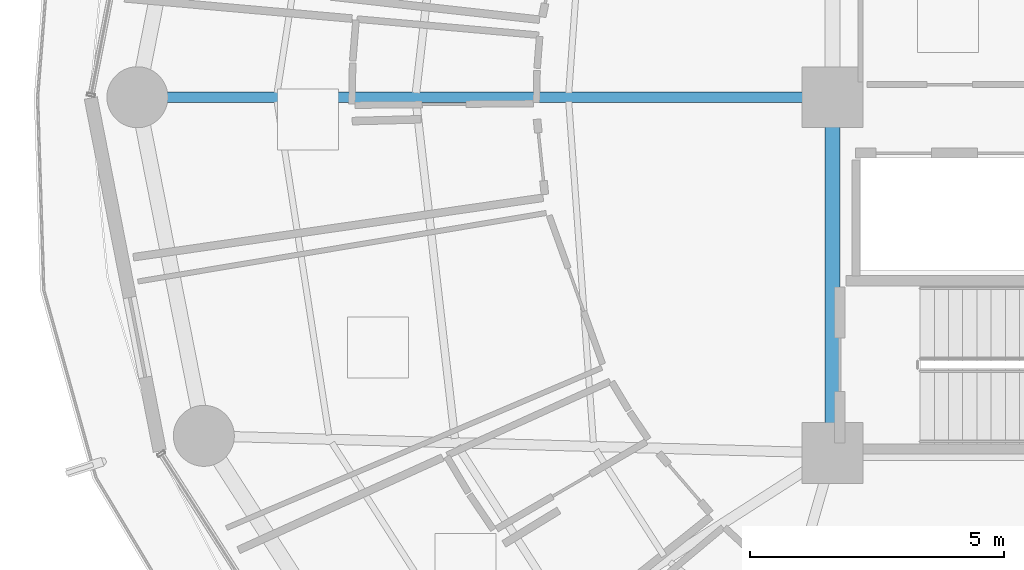
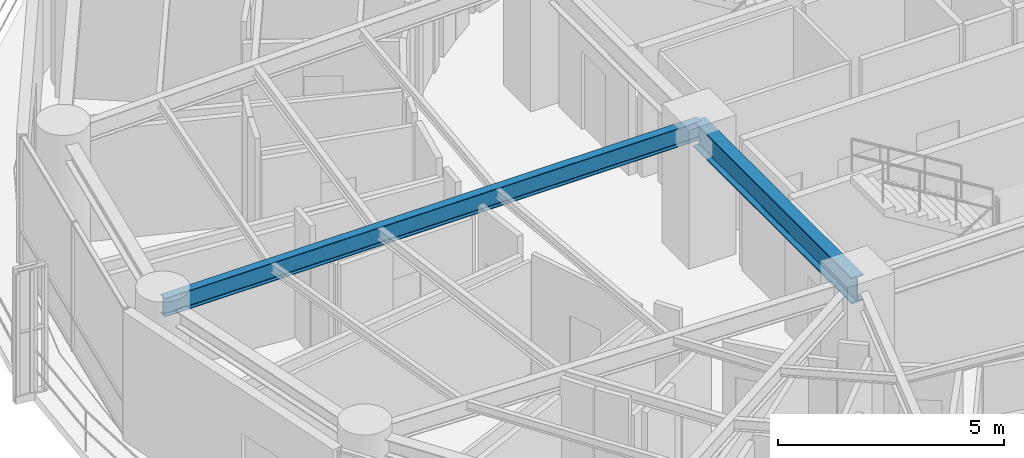
# One storey, part 7 of 28: 2 beams.
"""IFC4 building model written with IfcOpenShell, lengths in metres."""

from ifc_helpers import new_model, si_unit, direction, frame, origin, origin_2d, place, context, subcontext, project, spatial, i_section, extrude, material, material_profile, profile_set, type_object, element, save


model = new_model("IFC4")

# Units and contexts
model_context = context("Model", 3, precision=1e-05, world=origin(), true_north=direction((0.0, 1.0)))
body_context = subcontext(model_context, "Body", "Model", "MODEL_VIEW")
ifc_project = project(units=[si_unit("LENGTHUNIT", "METRE"), si_unit("AREAUNIT", "SQUARE_METRE"), si_unit("VOLUMEUNIT", "CUBIC_METRE"), si_unit("PLANEANGLEUNIT", "RADIAN"), si_unit("MASSUNIT", "GRAM", prefix="KILO")], contexts=[model_context])

# Site, building, storey
site_placement = place(None, origin())
site = spatial("IfcSite", under=ifc_project, at=site_placement, CompositionType="ELEMENT")
building_placement = place(site_placement, origin())
building = spatial("IfcBuilding", under=site, at=building_placement, Name="Kelanora Arch Commons", CompositionType="ELEMENT")
storey_placement = place(building_placement, frame((0.0, 0.0, 176.85009765625)))
storey = spatial("IfcBuildingStorey", under=building, at=storey_placement, Name="L45", CompositionType="ELEMENT", Elevation=176.85009765625)

# Beams
ifc_material = material(Name="Steel S355", Category="steel")
ifc_material_profile_1 = material_profile(ifc_material, i_section(OverallWidth=0.300048828125, OverallDepth=0.699951171875, WebThickness=0.01708984375, FlangeThickness=0.031982421875, FilletRadius=0.027099609375, at=origin_2d()), Name="HEB700")
ifc_profile_set_1 = profile_set([ifc_material_profile_1], Name="Steel S355")
beam_type_1 = type_object("IfcBeamType", Name="BM-CORE-HDR", PredefinedType="BEAM", material=ifc_profile_set_1)
beam_1_placement = place(storey_placement, frame((66.0, 58.0, 3.139892578125), z_axis=(0.0, -1.0, 0.0), x_axis=(1.0, 0.0, 0.0)))
element("IfcBeam", 1, at=beam_1_placement, inside=storey, type_object=beam_type_1, Name="Core Header Beam 09 L45", PredefinedType="BEAM", context=body_context, shape_type="SweptSolid", body=[
    extrude(i_section(OverallWidth=0.300048828125, OverallDepth=0.699951171875, WebThickness=0.01708984375, FlangeThickness=0.031982421875, FilletRadius=0.027099609375, at=origin_2d()), origin(), (0.0, 0.0, 1.0), 7.0),
])
ifc_material_profile_2 = material_profile(ifc_material, i_section(OverallWidth=0.199951171875, OverallDepth=0.5, WebThickness=0.01025390625, FlangeThickness=0.01611328125, FilletRadius=0.02099609375, at=origin_2d()), Name="IPE500")
ifc_profile_set_2 = profile_set([ifc_material_profile_2], Name="Steel S355")
beam_type_2 = type_object("IfcBeamType", Name="BM-RAD-Z3", PredefinedType="BEAM", material=ifc_profile_set_2)
beam_2_placement = place(storey_placement, frame((66.0, 58.0, 3.239990234375), z_axis=(-1.0, 0.0, 0.0), x_axis=(0.0, -1.0, 0.0)))
element("IfcBeam", 2, at=beam_2_placement, inside=storey, type_object=beam_type_2, Name="Radial Floor Girder BR-18 L45", PredefinedType="BEAM", context=body_context, shape_type="SweptSolid", body=[
    extrude(i_section(OverallWidth=0.199951171875, OverallDepth=0.5, WebThickness=0.01025390625, FlangeThickness=0.01611328125, FilletRadius=0.02099609375, at=origin_2d()), origin(), (0.0, 0.0, 1.0), 13.679931640625),
])

save(model, "model.ifc")
